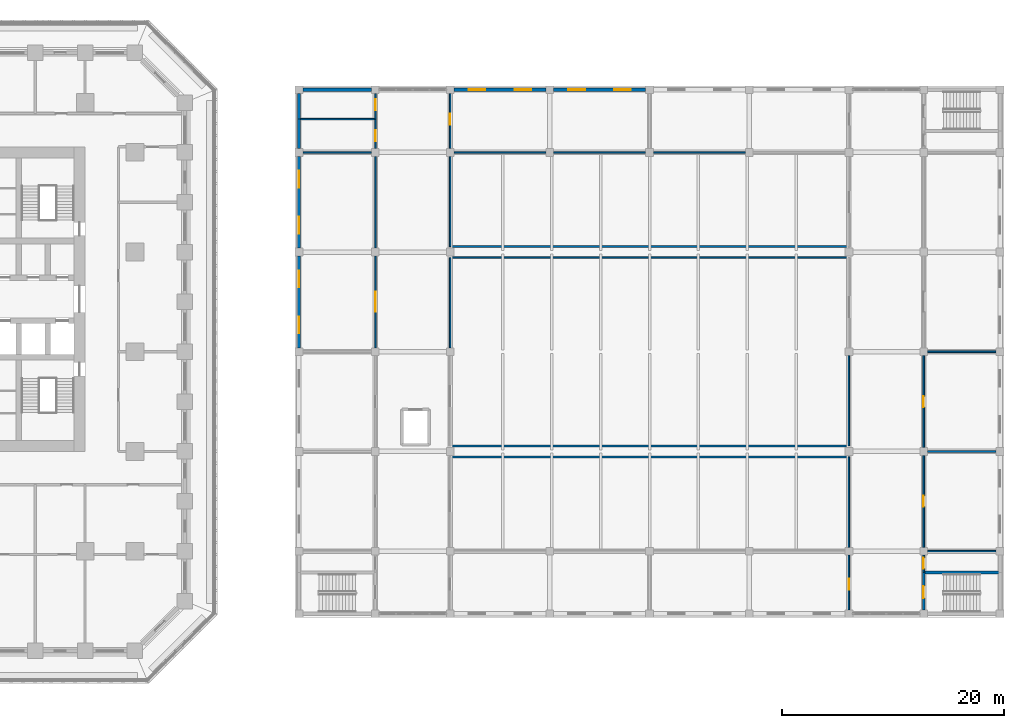
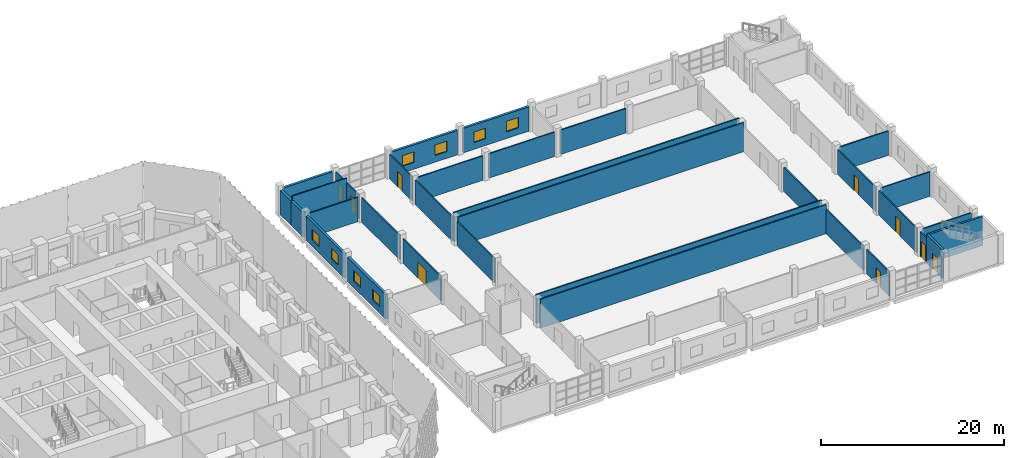
# One storey, part 18 of 31: 34 walls, 9 doors, 8 windows, 17 openings.
"""IFC4 building model written with IfcOpenShell, lengths in metres."""

import ifcopenshell
import ifcopenshell.guid

model = None  # the IFC model being written
_history = None  # IfcOwnerHistory: only IFC2X3 demands one
_inside = {}  # id of a spatial element -> (the spatial element, [elements in it])
_under = {}  # id of a project, library or spatial element -> (it, [spatial elements below it])
_declared = {}  # id of a project -> (the project, [libraries it declares])
_typed = {}  # id of a type object -> (the type object, [elements of that type])
_made_of = {}  # id of a material, layer set ... -> (it, [elements and type objects made of it])


def new_model(schema):
    """Start an empty IFC model of exactly this schema.

    Asked for "IFC4X3", IfcOpenShell would pick the latest addendum, in which some entities
    have other attributes; the version numbers below select the first issue.
    IFC2X3 requires an IfcOwnerHistory on every rooted entity: one is made here for all.
    """
    global model, _history
    if schema == "IFC4X3":
        model = ifcopenshell.file(schema_version=(4, 3, 0, 0))
    else:
        model = ifcopenshell.file(schema=schema)
    _inside.clear()
    _under.clear()
    _declared.clear()
    _typed.clear()
    _made_of.clear()
    _history = None
    if model.schema == "IFC2X3":
        org = make("IfcOrganization", Name="unknown")
        user = make(
            "IfcPersonAndOrganization",
            ThePerson=make("IfcPerson", FamilyName="unknown"),
            TheOrganization=org,
        )
        app = make(
            "IfcApplication",
            ApplicationDeveloper=org,
            Version="unknown",
            ApplicationFullName="unknown",
            ApplicationIdentifier="unknown",
        )
        _history = make(
            "IfcOwnerHistory",
            OwningUser=user,
            OwningApplication=app,
            ChangeAction="ADDED",
            CreationDate=0,
        )
    return model


def make(cls, **values):
    """One entity of the class cls with the attributes given. An attribute that is None is left unset."""
    return model.create_entity(
        cls, **{name: value for name, value in values.items() if value is not None}
    )


def rooted(cls, **values):
    """An entity with a GlobalId (a new one), such as an element, a storey or a relation."""
    return make(cls, GlobalId=ifcopenshell.guid.new(), OwnerHistory=_history, **values)


def si_unit(unit_type, name, prefix=None):
    """IfcSIUnit, for example si_unit("LENGTHUNIT", "METRE", prefix="MILLI")."""
    return make("IfcSIUnit", UnitType=unit_type, Prefix=prefix, Name=name)


def assignment(units):
    """IfcUnitAssignment: the units of a project."""
    return None if units is None else make("IfcUnitAssignment", Units=units)


def point(xyz):
    """IfcCartesianPoint."""
    return None if xyz is None else make("IfcCartesianPoint", Coordinates=xyz)


def direction(xyz):
    """IfcDirection."""
    return None if xyz is None else make("IfcDirection", DirectionRatios=xyz)


def frame(location, z_axis=None, x_axis=None):
    """IfcAxis2Placement3D, a coordinate frame: its origin and axes. An axis left out is left unset."""
    return make(
        "IfcAxis2Placement3D",
        Location=point(location),
        Axis=direction(z_axis),
        RefDirection=direction(x_axis),
    )


def frame_2d(location, x_axis=None):
    """IfcAxis2Placement2D, a coordinate frame in the plane: its origin and x axis."""
    return make(
        "IfcAxis2Placement2D", Location=point(location), RefDirection=direction(x_axis)
    )


def origin():
    """The frame at (0, 0, 0) with its axes left unset."""
    return frame((0.0, 0.0, 0.0))


def place(relative_to, where):
    """IfcLocalPlacement: puts the frame where relative to a parent placement (None: the world)."""
    return make(
        "IfcLocalPlacement", PlacementRelTo=relative_to, RelativePlacement=where
    )


def context(
    kind, dimensions, precision=None, world=None, true_north=None, identifier=None
):
    """IfcGeometricRepresentationContext, for example the 3D "Model" context."""
    return make(
        "IfcGeometricRepresentationContext",
        ContextIdentifier=identifier,
        ContextType=kind,
        CoordinateSpaceDimension=dimensions,
        Precision=precision,
        WorldCoordinateSystem=world,
        TrueNorth=true_north,
    )


def subcontext(parent, identifier, kind, view, scale=None):
    """IfcGeometricRepresentationSubContext, for example "Body" below "Model"."""
    return make(
        "IfcGeometricRepresentationSubContext",
        ContextIdentifier=identifier,
        ContextType=kind,
        ParentContext=parent,
        TargetScale=scale,
        TargetView=view,
    )


def project(units=None, contexts=None):
    """IfcProject with its units and contexts."""
    return rooted(
        "IfcProject",
        Name="project",
        RepresentationContexts=contexts,
        UnitsInContext=assignment(units),
    )


def spatial(cls, under=None, at=None, **own):
    """A site, building, storey or space (cls), placed at a placement, below another one or the project."""
    s = rooted(cls, ObjectPlacement=at, **own)
    if under is not None:
        _under.setdefault(under.id(), (under, []))[1].append(s)
    return s


def profile(cls, at=None, kind="AREA", **sizes):
    """A parametric profile (cls). Its sizes go by their IFC names, for example OverallWidth=200.0."""
    return make(cls, ProfileType=kind, Position=at, **sizes)


def rectangle(**sizes):
    """IfcRectangleProfileDef."""
    return profile("IfcRectangleProfileDef", **sizes)


def extrude(swept, where, along, depth):
    """IfcExtrudedAreaSolid: the profile swept, set in the frame where, extruded along a direction by depth."""
    return make(
        "IfcExtrudedAreaSolid",
        SweptArea=swept,
        Position=where,
        ExtrudedDirection=direction(along),
        Depth=depth,
    )


def shape(context_of_items, identifier, shape_type, items):
    """IfcShapeRepresentation: the items that make up one representation, for example the "Body"."""
    return make(
        "IfcShapeRepresentation",
        ContextOfItems=context_of_items,
        RepresentationIdentifier=identifier,
        RepresentationType=shape_type,
        Items=items,
    )


def material(Name=None, Category=None):
    """IfcMaterial."""
    return make("IfcMaterial", Name=Name, Category=Category)


def layer(
    of_material, thickness, ventilated=None, Name=None, Category=None, Priority=None
):
    """IfcMaterialLayer: one layer of a wall or slab, of a material (None: an air gap)."""
    return make(
        "IfcMaterialLayer",
        Material=of_material,
        LayerThickness=thickness,
        IsVentilated=ventilated,
        Name=Name,
        Category=Category,
        Priority=Priority,
    )


def layer_set(layers, Name=None):
    """IfcMaterialLayerSet."""
    return make("IfcMaterialLayerSet", MaterialLayers=layers, LayerSetName=Name)


def made_of(thing, what):
    """Note that an element or type object is made of a material, layer set ...; save() writes the relation."""
    if what is not None:
        _made_of.setdefault(what.id(), (what, []))[1].append(thing)
    return thing


def type_object(cls, material=None, **own):
    """A type object (cls), such as IfcWallType, which elements share."""
    return made_of(rooted(cls, **own), material)


def element(
    cls,
    number,
    at=None,
    inside=None,
    cuts=None,
    type_object=None,
    material=None,
    context=None,
    identifier="Body",
    shape_type=None,
    held_by="IfcProductDefinitionShape",
    body=None,
    shapes=None,
    **own,
):
    """One element of the class cls, such as IfcWall. Its Tag is "e" and its number.

    at: its placement. inside: the storey or other place that contains it. cuts: it is an
    opening in that element (IfcRelVoidsElement). A single representation is given by context,
    identifier, shape_type and body (its items); several are given by shapes. held_by: the class
    of the entity that holds the representations. save() writes the other relations.
    """
    e = rooted(cls, Tag="e%d" % number, ObjectPlacement=at, **own)
    if body is not None:
        shapes = [shape(context, identifier, shape_type, body)]
    if shapes is not None:
        e.Representation = make(held_by, Representations=shapes)
    if inside is not None:
        _inside.setdefault(inside.id(), (inside, []))[1].append(e)
    if cuts is not None:
        rooted(
            "IfcRelVoidsElement", RelatingBuildingElement=cuts, RelatedOpeningElement=e
        )
    if type_object is not None:
        _typed.setdefault(type_object.id(), (type_object, []))[1].append(e)
    return made_of(e, material)


def fill(opening, filler):
    """IfcRelFillsElement: the door or window that sits in an opening."""
    return rooted(
        "IfcRelFillsElement",
        RelatingOpeningElement=opening,
        RelatedBuildingElement=filler,
    )


def aggregate(whole, parts):
    """IfcRelAggregates: a whole, such as a stair, and the parts it consists of."""
    return rooted("IfcRelAggregates", RelatingObject=whole, RelatedObjects=parts)


def save(model, path):
    """Write the relations noted so far, then the file.

    IfcRelAggregates (storeys below a building ...), IfcRelContainedInSpatialStructure (elements
    in a storey), IfcRelDefinesByType, IfcRelAssociatesMaterial and IfcRelDeclares: one each for
    every whole, place, type object, material and project.
    """
    for whole, parts in _under.values():
        aggregate(whole, parts)
    for where, things in _inside.values():
        rooted(
            "IfcRelContainedInSpatialStructure",
            RelatedElements=things,
            RelatingStructure=where,
        )
    for kind, things in _typed.values():
        rooted("IfcRelDefinesByType", RelatedObjects=things, RelatingType=kind)
    for what, things in _made_of.values():
        rooted("IfcRelAssociatesMaterial", RelatedObjects=things, RelatingMaterial=what)
    for by, libraries in _declared.values():
        rooted("IfcRelDeclares", RelatingContext=by, RelatedDefinitions=libraries)
    model.write(path)


model = new_model("IFC4")

# Units and contexts
model_context = context("Model", 3, precision=1e-05, world=origin(), true_north=direction((0.0, 1.0)))
body_context = subcontext(model_context, "Body", "Model", "MODEL_VIEW")
ifc_project = project(units=[si_unit("LENGTHUNIT", "METRE"), si_unit("AREAUNIT", "SQUARE_METRE"), si_unit("VOLUMEUNIT", "CUBIC_METRE"), si_unit("PLANEANGLEUNIT", "RADIAN"), si_unit("MASSUNIT", "GRAM", prefix="KILO")], contexts=[model_context])

# Site, building, storey
site_placement = place(None, origin())
site = spatial("IfcSite", under=ifc_project, at=site_placement, CompositionType="ELEMENT")
building_placement = place(site_placement, origin())
building = spatial("IfcBuilding", under=site, at=building_placement, Name="Corbel Stack Research Tower", CompositionType="ELEMENT")
storey_placement = place(building_placement, frame((0.0, 0.0, 15.39990234375)))
storey = spatial("IfcBuildingStorey", under=building, at=storey_placement, Name="L03", CompositionType="ELEMENT", Elevation=15.39990234375)

# Wall
ifc_material_1 = material(Name="Concrete C40/50", Category="concrete")
ifc_layer_1 = layer(ifc_material_1, 0.300048828125)
ifc_layer_set_1 = layer_set([ifc_layer_1], Name="Concrete C40/50")
wall_type_1 = type_object("IfcWallType", Name="HW1 exterior wall 300", PredefinedType="SOLIDWALL", material=ifc_layer_set_1)
wall_1_placement = place(storey_placement, frame((37.64990234375, 23.64990234375, 0.0), z_axis=(0.0, 0.0, 1.0), x_axis=(1.0, 0.0, 0.0)))
element("IfcWall", 1, at=wall_1_placement, inside=storey, type_object=wall_type_1, Name="Exterior wall L03 h23.65/37.6", PredefinedType="SOLIDWALL", context=body_context, shape_type="SweptSolid", body=[
    extrude(rectangle(XDim=6.2001953125, YDim=0.300048828125, at=frame_2d((3.10009765625, 0.0))), origin(), (0.0, 0.0, 1.0), 3.25),
])

# Wall, openings, windows
wall_2_placement = place(storey_placement, frame((51.300048828125, 23.64990234375, 0.0), z_axis=(0.0, 0.0, 1.0), x_axis=(1.0, 0.0, 0.0)))
wall_2 = element("IfcWall", 2, at=wall_2_placement, inside=storey, type_object=wall_type_1, Name="Exterior wall L03 h23.65/51.3", PredefinedType="SOLIDWALL", context=body_context, shape_type="SweptSolid", body=[
    extrude(rectangle(XDim=8.300048828125, YDim=0.300048828125, at=frame_2d((4.14990234375, 0.0))), origin(), (0.0, 0.0, 1.0), 3.25),
])
opening_1_placement = place(wall_2_placement, frame((1.324951171875, 0.0, 0.89990234375)))
opening_1 = element("IfcOpeningElement", 3, at=opening_1_placement, cuts=wall_2, Name="Opening HX1", PredefinedType="OPENING", context=body_context, shape_type="SweptSolid", body=[
    extrude(rectangle(XDim=1.5, YDim=1.39990234375, at=frame_2d((0.75, 0.699951171875))), frame((0.0, 0.159912109375, 0.0), z_axis=(0.0, -1.0, 0.0), x_axis=(1.0, 0.0, 0.0)), (0.0, 0.0, 1.0), 0.320068359375),
])
opening_2_placement = place(wall_2_placement, frame((5.47509765625, 0.0, 0.89990234375)))
opening_2 = element("IfcOpeningElement", 4, at=opening_2_placement, cuts=wall_2, Name="Opening HX1", PredefinedType="OPENING", context=body_context, shape_type="SweptSolid", body=[
    extrude(rectangle(XDim=1.5, YDim=1.39990234375, at=frame_2d((0.75, 0.699951171875))), frame((0.0, 0.159912109375, 0.0), z_axis=(0.0, -1.0, 0.0), x_axis=(1.0, 0.0, 0.0)), (0.0, 0.0, 1.0), 0.320068359375),
])
ifc_material_2 = material(Name="Glass and aluminium", Category="aluminium")
window_type = type_object("IfcWindowType", Name="HW6 window 1500 x 1400", PartitioningType="SINGLE_PANEL", PredefinedType="WINDOW", material=ifc_material_2)
window_1_placement = place(opening_1_placement, origin())
window_1 = element("IfcWindow", 5, at=window_1_placement, inside=storey, type_object=window_type, Name="Window L03 Office 10", OverallHeight=1.39990234375, OverallWidth=1.5, PartitioningType="SINGLE_PANEL", PredefinedType="WINDOW", context=body_context, shape_type="SweptSolid", body=[
    extrude(rectangle(XDim=1.5, YDim=1.39990234375, at=frame_2d((0.75, 0.699951171875))), frame((0.0, 0.030029296875, 0.0), z_axis=(0.0, -1.0, 0.0), x_axis=(1.0, 0.0, 0.0)), (0.0, 0.0, 1.0), 0.06005859375),
])
fill(opening_1, window_1)
window_2_placement = place(opening_2_placement, origin())
window_2 = element("IfcWindow", 6, at=window_2_placement, inside=storey, type_object=window_type, Name="Window L03 Office 10", OverallHeight=1.39990234375, OverallWidth=1.5, PartitioningType="SINGLE_PANEL", PredefinedType="WINDOW", context=body_context, shape_type="SweptSolid", body=[
    extrude(rectangle(XDim=1.5, YDim=1.39990234375, at=frame_2d((0.75, 0.699951171875))), frame((0.0, 0.030029296875, 0.0), z_axis=(0.0, -1.0, 0.0), x_axis=(1.0, 0.0, 0.0)), (0.0, 0.0, 1.0), 0.06005859375),
])
fill(opening_2, window_2)

wall_3_placement = place(storey_placement, frame((60.300048828125, 23.64990234375, 0.0), z_axis=(0.0, 0.0, 1.0), x_axis=(1.0, 0.0, 0.0)))
wall_3 = element("IfcWall", 7, at=wall_3_placement, inside=storey, type_object=wall_type_1, Name="Exterior wall L03 h23.65/60.3", PredefinedType="SOLIDWALL", context=body_context, shape_type="SweptSolid", body=[
    extrude(rectangle(XDim=8.300048828125, YDim=0.300048828125, at=frame_2d((4.14990234375, 0.0))), origin(), (0.0, 0.0, 1.0), 3.25),
])
opening_3_placement = place(wall_3_placement, frame((1.324951171875, 0.0, 0.89990234375)))
opening_3 = element("IfcOpeningElement", 8, at=opening_3_placement, cuts=wall_3, Name="Opening HX1", PredefinedType="OPENING", context=body_context, shape_type="SweptSolid", body=[
    extrude(rectangle(XDim=1.5, YDim=1.39990234375, at=frame_2d((0.75, 0.699951171875))), frame((0.0, 0.159912109375, 0.0), z_axis=(0.0, -1.0, 0.0), x_axis=(1.0, 0.0, 0.0)), (0.0, 0.0, 1.0), 0.320068359375),
])
opening_4_placement = place(wall_3_placement, frame((5.47509765625, 0.0, 0.89990234375)))
opening_4 = element("IfcOpeningElement", 9, at=opening_4_placement, cuts=wall_3, Name="Opening HX1", PredefinedType="OPENING", context=body_context, shape_type="SweptSolid", body=[
    extrude(rectangle(XDim=1.5, YDim=1.39990234375, at=frame_2d((0.75, 0.699951171875))), frame((0.0, 0.159912109375, 0.0), z_axis=(0.0, -1.0, 0.0), x_axis=(1.0, 0.0, 0.0)), (0.0, 0.0, 1.0), 0.320068359375),
])
window_3_placement = place(opening_3_placement, origin())
window_3 = element("IfcWindow", 10, at=window_3_placement, inside=storey, type_object=window_type, Name="Window L03 Office 10", OverallHeight=1.39990234375, OverallWidth=1.5, PartitioningType="SINGLE_PANEL", PredefinedType="WINDOW", context=body_context, shape_type="SweptSolid", body=[
    extrude(rectangle(XDim=1.5, YDim=1.39990234375, at=frame_2d((0.75, 0.699951171875))), frame((0.0, 0.030029296875, 0.0), z_axis=(0.0, -1.0, 0.0), x_axis=(1.0, 0.0, 0.0)), (0.0, 0.0, 1.0), 0.06005859375),
])
fill(opening_3, window_3)
window_4_placement = place(opening_4_placement, origin())
window_4 = element("IfcWindow", 11, at=window_4_placement, inside=storey, type_object=window_type, Name="Window L03 Office 10", OverallHeight=1.39990234375, OverallWidth=1.5, PartitioningType="SINGLE_PANEL", PredefinedType="WINDOW", context=body_context, shape_type="SweptSolid", body=[
    extrude(rectangle(XDim=1.5, YDim=1.39990234375, at=frame_2d((0.75, 0.699951171875))), frame((0.0, 0.030029296875, 0.0), z_axis=(0.0, -1.0, 0.0), x_axis=(1.0, 0.0, 0.0)), (0.0, 0.0, 1.0), 0.06005859375),
])
fill(opening_4, window_4)

wall_4_placement = place(storey_placement, frame((37.300048828125, 0.35009765625, 0.0), z_axis=(0.0, 0.0, 1.0), x_axis=(0.0, 1.0, 0.0)))
wall_4 = element("IfcWall", 12, at=wall_4_placement, inside=storey, type_object=wall_type_1, Name="Exterior wall L03 v37.30/0.3", PredefinedType="SOLIDWALL", context=body_context, shape_type="SweptSolid", body=[
    extrude(rectangle(XDim=8.2998046875, YDim=0.300048828125, at=frame_2d((4.14990234375, 0.0))), origin(), (0.0, 0.0, 1.0), 3.25),
])
opening_5_placement = place(wall_4_placement, frame((1.324951171875, 0.0, 0.89990234375)))
opening_5 = element("IfcOpeningElement", 13, at=opening_5_placement, cuts=wall_4, Name="Opening HX1", PredefinedType="OPENING", context=body_context, shape_type="SweptSolid", body=[
    extrude(rectangle(XDim=1.5, YDim=1.39990234375, at=frame_2d((0.75, 0.699951171875))), frame((0.0, 0.159912109375, 0.0), z_axis=(0.0, -1.0, 0.0), x_axis=(1.0, 0.0, 0.0)), (0.0, 0.0, 1.0), 0.320068359375),
])
opening_6_placement = place(wall_4_placement, frame((5.47509765625, 0.0, 0.89990234375)))
opening_6 = element("IfcOpeningElement", 14, at=opening_6_placement, cuts=wall_4, Name="Opening HX1", PredefinedType="OPENING", context=body_context, shape_type="SweptSolid", body=[
    extrude(rectangle(XDim=1.5, YDim=1.39990234375, at=frame_2d((0.75, 0.699951171875))), frame((0.0, 0.159912109375, 0.0), z_axis=(0.0, -1.0, 0.0), x_axis=(1.0, 0.0, 0.0)), (0.0, 0.0, 1.0), 0.320068359375),
])
window_5_placement = place(opening_5_placement, origin())
window_5 = element("IfcWindow", 15, at=window_5_placement, inside=storey, type_object=window_type, Name="Window L03 Studio 5", OverallHeight=1.39990234375, OverallWidth=1.5, PartitioningType="SINGLE_PANEL", PredefinedType="WINDOW", context=body_context, shape_type="SweptSolid", body=[
    extrude(rectangle(XDim=1.5, YDim=1.39990234375, at=frame_2d((0.75, 0.699951171875))), frame((0.0, 0.030029296875, 0.0), z_axis=(0.0, -1.0, 0.0), x_axis=(1.0, 0.0, 0.0)), (0.0, 0.0, 1.0), 0.06005859375),
])
fill(opening_5, window_5)
window_6_placement = place(opening_6_placement, origin())
window_6 = element("IfcWindow", 16, at=window_6_placement, inside=storey, type_object=window_type, Name="Window L03 Studio 5", OverallHeight=1.39990234375, OverallWidth=1.5, PartitioningType="SINGLE_PANEL", PredefinedType="WINDOW", context=body_context, shape_type="SweptSolid", body=[
    extrude(rectangle(XDim=1.5, YDim=1.39990234375, at=frame_2d((0.75, 0.699951171875))), frame((0.0, 0.030029296875, 0.0), z_axis=(0.0, -1.0, 0.0), x_axis=(1.0, 0.0, 0.0)), (0.0, 0.0, 1.0), 0.06005859375),
])
fill(opening_6, window_6)

wall_5_placement = place(storey_placement, frame((37.300048828125, 9.35009765625, 0.0), z_axis=(0.0, 0.0, 1.0), x_axis=(0.0, 1.0, 0.0)))
wall_5 = element("IfcWall", 17, at=wall_5_placement, inside=storey, type_object=wall_type_1, Name="Exterior wall L03 v37.30/9.3", PredefinedType="SOLIDWALL", context=body_context, shape_type="SweptSolid", body=[
    extrude(rectangle(XDim=8.2998046875, YDim=0.300048828125, at=frame_2d((4.14990234375, 0.0))), origin(), (0.0, 0.0, 1.0), 3.25),
])
opening_7_placement = place(wall_5_placement, frame((1.324951171875, 0.0, 0.89990234375)))
opening_7 = element("IfcOpeningElement", 18, at=opening_7_placement, cuts=wall_5, Name="Opening HX1", PredefinedType="OPENING", context=body_context, shape_type="SweptSolid", body=[
    extrude(rectangle(XDim=1.5, YDim=1.39990234375, at=frame_2d((0.75, 0.699951171875))), frame((0.0, 0.159912109375, 0.0), z_axis=(0.0, -1.0, 0.0), x_axis=(1.0, 0.0, 0.0)), (0.0, 0.0, 1.0), 0.320068359375),
])
opening_8_placement = place(wall_5_placement, frame((5.47509765625, 0.0, 0.89990234375)))
opening_8 = element("IfcOpeningElement", 19, at=opening_8_placement, cuts=wall_5, Name="Opening HX1", PredefinedType="OPENING", context=body_context, shape_type="SweptSolid", body=[
    extrude(rectangle(XDim=1.5, YDim=1.39990234375, at=frame_2d((0.75, 0.699951171875))), frame((0.0, 0.159912109375, 0.0), z_axis=(0.0, -1.0, 0.0), x_axis=(1.0, 0.0, 0.0)), (0.0, 0.0, 1.0), 0.320068359375),
])
window_7_placement = place(opening_7_placement, origin())
window_7 = element("IfcWindow", 20, at=window_7_placement, inside=storey, type_object=window_type, Name="Window L03 Studio 5", OverallHeight=1.39990234375, OverallWidth=1.5, PartitioningType="SINGLE_PANEL", PredefinedType="WINDOW", context=body_context, shape_type="SweptSolid", body=[
    extrude(rectangle(XDim=1.5, YDim=1.39990234375, at=frame_2d((0.75, 0.699951171875))), frame((0.0, 0.030029296875, 0.0), z_axis=(0.0, -1.0, 0.0), x_axis=(1.0, 0.0, 0.0)), (0.0, 0.0, 1.0), 0.06005859375),
])
fill(opening_7, window_7)
window_8_placement = place(opening_8_placement, origin())
window_8 = element("IfcWindow", 21, at=window_8_placement, inside=storey, type_object=window_type, Name="Window L03 Studio 5", OverallHeight=1.39990234375, OverallWidth=1.5, PartitioningType="SINGLE_PANEL", PredefinedType="WINDOW", context=body_context, shape_type="SweptSolid", body=[
    extrude(rectangle(XDim=1.5, YDim=1.39990234375, at=frame_2d((0.75, 0.699951171875))), frame((0.0, 0.030029296875, 0.0), z_axis=(0.0, -1.0, 0.0), x_axis=(1.0, 0.0, 0.0)), (0.0, 0.0, 1.0), 0.06005859375),
])
fill(opening_8, window_8)

# Walls
wall_6_placement = place(storey_placement, frame((37.300048828125, 18.35009765625, 0.0), z_axis=(0.0, 0.0, 1.0), x_axis=(0.0, 1.0, 0.0)))
element("IfcWall", 22, at=wall_6_placement, inside=storey, type_object=wall_type_1, Name="Exterior wall L03 v37.30/18.4", PredefinedType="SOLIDWALL", context=body_context, shape_type="SweptSolid", body=[
    extrude(rectangle(XDim=2.64990234375, YDim=0.300048828125, at=frame_2d((1.324951171875, 0.0))), origin(), (0.0, 0.0, 1.0), 3.25),
])
wall_7_placement = place(storey_placement, frame((37.300048828125, 21.0, 0.0), z_axis=(0.0, 0.0, 1.0), x_axis=(0.0, 1.0, 0.0)))
element("IfcWall", 23, at=wall_7_placement, inside=storey, type_object=wall_type_1, Name="Exterior wall L03 v37.30/21.0", PredefinedType="SOLIDWALL", context=body_context, shape_type="SweptSolid", body=[
    extrude(rectangle(XDim=2.300048828125, YDim=0.300048828125, at=frame_2d((1.14990234375, 0.0))), origin(), (0.0, 0.0, 1.0), 3.25),
])
ifc_material_3 = material(Name="Concrete C40/50", Category="concrete")
ifc_layer_2 = layer(ifc_material_3, 0.25)
ifc_layer_set_2 = layer_set([ifc_layer_2], Name="Concrete C40/50")
wall_type_2 = type_object("IfcWallType", Name="HW2 core wall C40/50 250", PredefinedType="SHEAR", material=ifc_layer_set_2)
wall_8_placement = place(storey_placement, frame((93.699951171875, -19.925048828125, 0.0), z_axis=(0.0, 0.0, 1.0), x_axis=(1.0, 0.0, 0.0)))
element("IfcWall", 24, at=wall_8_placement, inside=storey, type_object=wall_type_2, Name="Wall L03 h-19.93/93.7", PredefinedType="SHEAR", context=body_context, shape_type="SweptSolid", body=[
    extrude(rectangle(XDim=6.900146484375, YDim=0.25, at=frame_2d((3.4501953125, 0.0))), origin(), (0.0, 0.0, 1.0), 3.85009765625),
])

# Wall, opening, door
wall_9_placement = place(storey_placement, frame((93.699951171875, -23.300048828125, 0.0), z_axis=(0.0, 0.0, 1.0), x_axis=(0.0, 1.0, 0.0)))
wall_9 = element("IfcWall", 25, at=wall_9_placement, inside=storey, type_object=wall_type_2, Name="Wall L03 v93.70/-23.3", PredefinedType="SHEAR", context=body_context, shape_type="SweptSolid", body=[
    extrude(rectangle(XDim=3.375, YDim=0.25, at=frame_2d((1.6875, 0.0))), origin(), (0.0, 0.0, 1.0), 3.85009765625),
])
opening_9_placement = place(wall_9_placement, frame((1.050048828125, 0.0, 0.0)))
opening_9 = element("IfcOpeningElement", 26, at=opening_9_placement, cuts=wall_9, Name="Opening H3-17", PredefinedType="OPENING", context=body_context, shape_type="SweptSolid", body=[
    extrude(rectangle(XDim=1.10009765625, YDim=2.10009765625, at=frame_2d((0.550048828125, 1.050048828125))), frame((0.0, 0.135009765625, 0.0), z_axis=(0.0, -1.0, 0.0), x_axis=(1.0, 0.0, 0.0)), (0.0, 0.0, 1.0), 0.27001953125),
])
ifc_material_4 = material(Name="Steel", Category="steel")
door_type_1 = type_object("IfcDoorType", Name="HD4 fire door 1100 x 2100", OperationType="NOTDEFINED", PredefinedType="DOOR", material=ifc_material_4)
door_1_placement = place(opening_9_placement, origin())
door_1 = element("IfcDoor", 27, at=door_1_placement, inside=storey, type_object=door_type_1, Name="Door H3-17", OperationType="SINGLE_SWING_LEFT", OverallHeight=2.10009765625, OverallWidth=1.10009765625, PredefinedType="DOOR", context=body_context, shape_type="SweptSolid", body=[
    extrude(rectangle(XDim=1.10009765625, YDim=2.10009765625, at=frame_2d((0.550048828125, 1.050048828125))), frame((0.0, 0.02490234375, 0.0), z_axis=(0.0, -1.0, 0.0), x_axis=(1.0, 0.0, 0.0)), (0.0, 0.0, 1.0), 0.050048828125),
])
fill(opening_9, door_1)

# Walls
ifc_material_5 = material(Name="Concrete masonry unit", Category="masonry")
ifc_layer_3 = layer(ifc_material_5, 0.14990234375)
ifc_layer_set_3 = layer_set([ifc_layer_3], Name="Concrete masonry unit")
wall_type_3 = type_object("IfcWallType", Name="HW3 partition 150", PredefinedType="PARTITIONING", material=ifc_layer_set_3)
wall_10_placement = place(storey_placement, frame((94.050048828125, -18.0, 0.0), z_axis=(0.0, 0.0, 1.0), x_axis=(1.0, 0.0, 0.0)))
element("IfcWall", 28, at=wall_10_placement, inside=storey, type_object=wall_type_3, Name="Wall L03 h-18.00/94.0", PredefinedType="PARTITIONING", context=body_context, shape_type="SweptSolid", body=[
    extrude(rectangle(XDim=6.199951171875, YDim=0.14990234375, at=frame_2d((3.10009765625, 0.0))), origin(), (0.0, 0.0, 1.0), 3.25),
])
wall_11_placement = place(storey_placement, frame((50.949951171875, -9.5, 0.0), z_axis=(0.0, 0.0, 1.0), x_axis=(1.0, 0.0, 0.0)))
element("IfcWall", 29, at=wall_11_placement, inside=storey, type_object=wall_type_3, Name="Wall L03 h-9.50/51.0", PredefinedType="PARTITIONING", context=body_context, shape_type="SweptSolid", body=[
    extrude(rectangle(XDim=36.0, YDim=0.14990234375, at=frame_2d((18.0, 0.0))), origin(), (0.0, 0.0, 1.0), 3.85009765625),
])
wall_12_placement = place(storey_placement, frame((94.050048828125, -9.0, 0.0), z_axis=(0.0, 0.0, 1.0), x_axis=(1.0, 0.0, 0.0)))
element("IfcWall", 30, at=wall_12_placement, inside=storey, type_object=wall_type_3, Name="Wall L03 h-9.00/94.0", PredefinedType="PARTITIONING", context=body_context, shape_type="SweptSolid", body=[
    extrude(rectangle(XDim=6.199951171875, YDim=0.14990234375, at=frame_2d((3.10009765625, 0.0))), origin(), (0.0, 0.0, 1.0), 3.25),
])
wall_13_placement = place(storey_placement, frame((50.949951171875, -8.5, 0.0), z_axis=(0.0, 0.0, 1.0), x_axis=(1.0, 0.0, 0.0)))
element("IfcWall", 31, at=wall_13_placement, inside=storey, type_object=wall_type_3, Name="Wall L03 h-8.50/51.0", PredefinedType="PARTITIONING", context=body_context, shape_type="SweptSolid", body=[
    extrude(rectangle(XDim=36.0, YDim=0.14990234375, at=frame_2d((18.0, 0.0))), origin(), (0.0, 0.0, 1.0), 3.85009765625),
])
wall_14_placement = place(storey_placement, frame((94.050048828125, 0.0, 0.0), z_axis=(0.0, 0.0, 1.0), x_axis=(1.0, 0.0, 0.0)))
element("IfcWall", 32, at=wall_14_placement, inside=storey, type_object=wall_type_3, Name="Wall L03 h0.00/94.0", PredefinedType="PARTITIONING", context=body_context, shape_type="SweptSolid", body=[
    extrude(rectangle(XDim=6.199951171875, YDim=0.14990234375, at=frame_2d((3.10009765625, 0.0))), origin(), (0.0, 0.0, 1.0), 3.25),
])
for number, where, z_axis, x_axis, name in (
    (33, (50.949951171875, 8.5, 0.0), (0.0, 0.0, 1.0), (1.0, 0.0, 0.0), "Wall L03 h8.50/51.0"),
    (34, (50.949951171875, 9.5, 0.0), (0.0, 0.0, 1.0), (1.0, 0.0, 0.0), "Wall L03 h9.50/51.0"),
):
    element("IfcWall", number, at=place(storey_placement, frame(where, z_axis=z_axis, x_axis=x_axis)), inside=storey, type_object=wall_type_3, Name=name, PredefinedType="PARTITIONING", context=body_context, shape_type="SweptSolid", body=[
        extrude(rectangle(XDim=36.0, YDim=0.14990234375, at=frame_2d((18.0, 0.0))), origin(), (0.0, 0.0, 1.0), 3.85009765625),
    ])
wall_15_placement = place(storey_placement, frame((37.64990234375, 18.0, 0.0), z_axis=(0.0, 0.0, 1.0), x_axis=(1.0, 0.0, 0.0)))
element("IfcWall", 35, at=wall_15_placement, inside=storey, type_object=wall_type_3, Name="Wall L03 h18.00/37.6", PredefinedType="PARTITIONING", context=body_context, shape_type="SweptSolid", body=[
    extrude(rectangle(XDim=6.2001953125, YDim=0.14990234375, at=frame_2d((3.10009765625, 0.0))), origin(), (0.0, 0.0, 1.0), 3.25),
])
for number, where, z_axis, x_axis, name in (
    (36, (51.300048828125, 18.0, 0.0), (0.0, 0.0, 1.0), (1.0, 0.0, 0.0), "Wall L03 h18.00/51.3"),
    (37, (60.300048828125, 18.0, 0.0), (0.0, 0.0, 1.0), (1.0, 0.0, 0.0), "Wall L03 h18.00/60.3"),
    (38, (69.300048828125, 18.0, 0.0), (0.0, 0.0, 1.0), (1.0, 0.0, 0.0), "Wall L03 h18.00/69.3"),
):
    element("IfcWall", number, at=place(storey_placement, frame(where, z_axis=z_axis, x_axis=x_axis)), inside=storey, type_object=wall_type_3, Name=name, PredefinedType="PARTITIONING", context=body_context, shape_type="SweptSolid", body=[
        extrude(rectangle(XDim=8.300048828125, YDim=0.14990234375, at=frame_2d((4.14990234375, 0.0))), origin(), (0.0, 0.0, 1.0), 3.25),
    ])
wall_16_placement = place(storey_placement, frame((37.300048828125, 21.0, 0.0), z_axis=(0.0, 0.0, 1.0), x_axis=(1.0, 0.0, 0.0)))
element("IfcWall", 39, at=wall_16_placement, inside=storey, type_object=wall_type_3, Name="Wall L03 h21.00/37.3", PredefinedType="PARTITIONING", context=body_context, shape_type="SweptSolid", body=[
    extrude(rectangle(XDim=6.89990234375, YDim=0.14990234375, at=frame_2d((3.449951171875, 0.0))), origin(), (0.0, 0.0, 1.0), 3.85009765625),
])

# Wall, opening, door
wall_17_placement = place(storey_placement, frame((44.199951171875, 8.64990234375, 0.0), z_axis=(0.0, 0.0, 1.0), x_axis=(0.0, -1.0, 0.0)))
wall_17 = element("IfcWall", 40, at=wall_17_placement, inside=storey, type_object=wall_type_3, Name="Wall L03 v44.20/0.3", PredefinedType="PARTITIONING", context=body_context, shape_type="SweptSolid", body=[
    extrude(rectangle(XDim=8.2998046875, YDim=0.14990234375, at=frame_2d((4.14990234375, 0.0))), origin(), (0.0, 0.0, 1.0), 3.25),
])
opening_10_placement = place(wall_17_placement, frame((3.25, 0.0, 0.0)))
opening_10 = element("IfcOpeningElement", 41, at=opening_10_placement, cuts=wall_17, Name="Opening H3-06", PredefinedType="OPENING", context=body_context, shape_type="SweptSolid", body=[
    extrude(rectangle(XDim=1.800048828125, YDim=2.10009765625, at=frame_2d((0.89990234375, 1.050048828125))), frame((0.0, 0.0849609375, 0.0), z_axis=(0.0, -1.0, 0.0), x_axis=(1.0, 0.0, 0.0)), (0.0, 0.0, 1.0), 0.169921875),
])
ifc_material_6 = material(Name="Timber", Category="wood")
door_type_2 = type_object("IfcDoorType", Name="HD2 double door 1800 x 2100", OperationType="DOUBLE_DOOR_SINGLE_SWING", PredefinedType="DOOR", material=ifc_material_6)
door_2_placement = place(opening_10_placement, origin())
door_2 = element("IfcDoor", 42, at=door_2_placement, inside=storey, type_object=door_type_2, Name="Door H3-06", OperationType="DOUBLE_DOOR_SINGLE_SWING", OverallHeight=2.10009765625, OverallWidth=1.800048828125, PredefinedType="DOOR", context=body_context, shape_type="SweptSolid", body=[
    extrude(rectangle(XDim=1.800048828125, YDim=2.10009765625, at=frame_2d((0.89990234375, 1.050048828125))), frame((0.0, 0.02490234375, 0.0), z_axis=(0.0, -1.0, 0.0), x_axis=(1.0, 0.0, 0.0)), (0.0, 0.0, 1.0), 0.050048828125),
])
fill(opening_10, door_2)

# Wall
wall_18_placement = place(storey_placement, frame((44.199951171875, 9.35009765625, 0.0), z_axis=(0.0, 0.0, 1.0), x_axis=(0.0, 1.0, 0.0)))
element("IfcWall", 43, at=wall_18_placement, inside=storey, type_object=wall_type_3, Name="Wall L03 v44.20/9.3", PredefinedType="PARTITIONING", context=body_context, shape_type="SweptSolid", body=[
    extrude(rectangle(XDim=8.2998046875, YDim=0.14990234375, at=frame_2d((4.14990234375, 0.0))), origin(), (0.0, 0.0, 1.0), 3.25),
])

# Wall, opening, door
wall_19_placement = place(storey_placement, frame((44.199951171875, 18.35009765625, 0.0), z_axis=(0.0, 0.0, 1.0), x_axis=(0.0, 1.0, 0.0)))
wall_19 = element("IfcWall", 44, at=wall_19_placement, inside=storey, type_object=wall_type_3, Name="Wall L03 v44.20/18.4", PredefinedType="PARTITIONING", context=body_context, shape_type="SweptSolid", body=[
    extrude(rectangle(XDim=2.64990234375, YDim=0.14990234375, at=frame_2d((1.324951171875, 0.0))), origin(), (0.0, 0.0, 1.0), 3.25),
])
opening_11_placement = place(wall_19_placement, frame((0.64990234375, 0.0, 0.0)))
opening_11 = element("IfcOpeningElement", 45, at=opening_11_placement, cuts=wall_19, Name="Opening H3-07", PredefinedType="OPENING", context=body_context, shape_type="SweptSolid", body=[
    extrude(rectangle(XDim=1.0, YDim=2.10009765625, at=frame_2d((0.5, 1.050048828125))), frame((0.0, 0.0849609375, 0.0), z_axis=(0.0, -1.0, 0.0), x_axis=(1.0, 0.0, 0.0)), (0.0, 0.0, 1.0), 0.169921875),
])
ifc_material_7 = material(Name="Timber", Category="wood")
door_type_3 = type_object("IfcDoorType", Name="HD1 single door 1000 x 2100", OperationType="NOTDEFINED", PredefinedType="DOOR", material=ifc_material_7)
door_3_placement = place(opening_11_placement, origin())
door_3 = element("IfcDoor", 46, at=door_3_placement, inside=storey, type_object=door_type_3, Name="Door H3-07", OperationType="SINGLE_SWING_LEFT", OverallHeight=2.10009765625, OverallWidth=1.0, PredefinedType="DOOR", context=body_context, shape_type="SweptSolid", body=[
    extrude(rectangle(XDim=1.0, YDim=2.10009765625, at=frame_2d((0.5, 1.050048828125))), frame((0.0, 0.02490234375, 0.0), z_axis=(0.0, -1.0, 0.0), x_axis=(1.0, 0.0, 0.0)), (0.0, 0.0, 1.0), 0.050048828125),
])
fill(opening_11, door_3)

wall_20_placement = place(storey_placement, frame((44.199951171875, 21.0, 0.0), z_axis=(0.0, 0.0, 1.0), x_axis=(0.0, 1.0, 0.0)))
wall_20 = element("IfcWall", 47, at=wall_20_placement, inside=storey, type_object=wall_type_3, Name="Wall L03 v44.20/21.0", PredefinedType="PARTITIONING", context=body_context, shape_type="SweptSolid", body=[
    extrude(rectangle(XDim=2.300048828125, YDim=0.14990234375, at=frame_2d((1.14990234375, 0.0))), origin(), (0.0, 0.0, 1.0), 3.25),
])
opening_12_placement = place(wall_20_placement, frame((0.800048828125, 0.0, 0.0)))
opening_12 = element("IfcOpeningElement", 48, at=opening_12_placement, cuts=wall_20, Name="Opening H3-08", PredefinedType="OPENING", context=body_context, shape_type="SweptSolid", body=[
    extrude(rectangle(XDim=1.0, YDim=2.10009765625, at=frame_2d((0.5, 1.050048828125))), frame((0.0, 0.0849609375, 0.0), z_axis=(0.0, -1.0, 0.0), x_axis=(1.0, 0.0, 0.0)), (0.0, 0.0, 1.0), 0.169921875),
])
door_4_placement = place(opening_12_placement, origin())
door_4 = element("IfcDoor", 49, at=door_4_placement, inside=storey, type_object=door_type_3, Name="Door H3-08", OperationType="SINGLE_SWING_RIGHT", OverallHeight=2.10009765625, OverallWidth=1.0, PredefinedType="DOOR", context=body_context, shape_type="SweptSolid", body=[
    extrude(rectangle(XDim=1.0, YDim=2.10009765625, at=frame_2d((0.5, 1.050048828125))), frame((0.0, 0.02490234375, 0.0), z_axis=(0.0, -1.0, 0.0), x_axis=(1.0, 0.0, 0.0)), (0.0, 0.0, 1.0), 0.050048828125),
])
fill(opening_12, door_4)

# Walls
for number, where, z_axis, x_axis, name in (
    (50, (50.949951171875, 0.35009765625, 0.0), (0.0, 0.0, 1.0), (0.0, 1.0, 0.0), "Wall L03 v50.95/0.3"),
    (51, (50.949951171875, 9.5, 0.0), (0.0, 0.0, 1.0), (0.0, 1.0, 0.0), "Wall L03 v50.95/9.5"),
):
    element("IfcWall", number, at=place(storey_placement, frame(where, z_axis=z_axis, x_axis=x_axis)), inside=storey, type_object=wall_type_3, Name=name, PredefinedType="PARTITIONING", context=body_context, shape_type="SweptSolid", body=[
        extrude(rectangle(XDim=8.14990234375, YDim=0.14990234375, at=frame_2d((4.074951171875, 0.0))), origin(), (0.0, 0.0, 1.0), 3.25),
    ])

# Wall, opening, door
wall_21_placement = place(storey_placement, frame((50.949951171875, 23.300048828125, 0.0), z_axis=(0.0, 0.0, 1.0), x_axis=(0.0, -1.0, 0.0)))
wall_21 = element("IfcWall", 52, at=wall_21_placement, inside=storey, type_object=wall_type_3, Name="Wall L03 v50.95/18.4", PredefinedType="PARTITIONING", context=body_context, shape_type="SweptSolid", body=[
    extrude(rectangle(XDim=4.949951171875, YDim=0.14990234375, at=frame_2d((2.47509765625, 0.0))), origin(), (0.0, 0.0, 1.0), 3.25),
])
opening_13_placement = place(wall_21_placement, frame((1.800048828125, 0.0, 0.0)))
opening_13 = element("IfcOpeningElement", 53, at=opening_13_placement, cuts=wall_21, Name="Opening H3-12", PredefinedType="OPENING", context=body_context, shape_type="SweptSolid", body=[
    extrude(rectangle(XDim=1.0, YDim=2.10009765625, at=frame_2d((0.5, 1.050048828125))), frame((0.0, 0.0849609375, 0.0), z_axis=(0.0, -1.0, 0.0), x_axis=(1.0, 0.0, 0.0)), (0.0, 0.0, 1.0), 0.169921875),
])
door_5_placement = place(opening_13_placement, origin())
door_5 = element("IfcDoor", 54, at=door_5_placement, inside=storey, type_object=door_type_3, Name="Door H3-12", OperationType="SINGLE_SWING_RIGHT", OverallHeight=2.10009765625, OverallWidth=1.0, PredefinedType="DOOR", context=body_context, shape_type="SweptSolid", body=[
    extrude(rectangle(XDim=1.0, YDim=2.10009765625, at=frame_2d((0.5, 1.050048828125))), frame((0.0, 0.02490234375, 0.0), z_axis=(0.0, -1.0, 0.0), x_axis=(1.0, 0.0, 0.0)), (0.0, 0.0, 1.0), 0.050048828125),
])
fill(opening_13, door_5)

wall_22_placement = place(storey_placement, frame((86.949951171875, -23.300048828125, 0.0), z_axis=(0.0, 0.0, 1.0), x_axis=(0.0, 1.0, 0.0)))
wall_22 = element("IfcWall", 55, at=wall_22_placement, inside=storey, type_object=wall_type_3, Name="Wall L03 v86.95/-23.3", PredefinedType="PARTITIONING", context=body_context, shape_type="SweptSolid", body=[
    extrude(rectangle(XDim=4.949951171875, YDim=0.14990234375, at=frame_2d((2.47509765625, 0.0))), origin(), (0.0, 0.0, 1.0), 3.25),
])
opening_14_placement = place(wall_22_placement, frame((1.800048828125, 0.0, 0.0)))
opening_14 = element("IfcOpeningElement", 56, at=opening_14_placement, cuts=wall_22, Name="Opening H3-13", PredefinedType="OPENING", context=body_context, shape_type="SweptSolid", body=[
    extrude(rectangle(XDim=1.0, YDim=2.10009765625, at=frame_2d((0.5, 1.050048828125))), frame((0.0, 0.0849609375, 0.0), z_axis=(0.0, -1.0, 0.0), x_axis=(1.0, 0.0, 0.0)), (0.0, 0.0, 1.0), 0.169921875),
])
door_6_placement = place(opening_14_placement, origin())
door_6 = element("IfcDoor", 57, at=door_6_placement, inside=storey, type_object=door_type_3, Name="Door H3-13", OperationType="SINGLE_SWING_LEFT", OverallHeight=2.10009765625, OverallWidth=1.0, PredefinedType="DOOR", context=body_context, shape_type="SweptSolid", body=[
    extrude(rectangle(XDim=1.0, YDim=2.10009765625, at=frame_2d((0.5, 1.050048828125))), frame((0.0, 0.02490234375, 0.0), z_axis=(0.0, -1.0, 0.0), x_axis=(1.0, 0.0, 0.0)), (0.0, 0.0, 1.0), 0.050048828125),
])
fill(opening_14, door_6)

# Walls
for number, where, z_axis, x_axis, name in (
    (58, (86.949951171875, -17.64990234375, 0.0), (0.0, 0.0, 1.0), (0.0, 1.0, 0.0), "Wall L03 v86.95/-17.6"),
    (59, (86.949951171875, -8.5, 0.0), (0.0, 0.0, 1.0), (0.0, 1.0, 0.0), "Wall L03 v86.95/-8.5"),
):
    element("IfcWall", number, at=place(storey_placement, frame(where, z_axis=z_axis, x_axis=x_axis)), inside=storey, type_object=wall_type_3, Name=name, PredefinedType="PARTITIONING", context=body_context, shape_type="SweptSolid", body=[
        extrude(rectangle(XDim=8.14990234375, YDim=0.14990234375, at=frame_2d((4.074951171875, 0.0))), origin(), (0.0, 0.0, 1.0), 3.25),
    ])

# Wall, opening, door
wall_23_placement = place(storey_placement, frame((93.699951171875, -18.35009765625, 0.0), z_axis=(0.0, 0.0, 1.0), x_axis=(0.0, -1.0, 0.0)))
wall_23 = element("IfcWall", 60, at=wall_23_placement, inside=storey, type_object=wall_type_3, Name="Wall L03 v93.70/-19.9", PredefinedType="PARTITIONING", context=body_context, shape_type="SweptSolid", body=[
    extrude(rectangle(XDim=1.574951171875, YDim=0.14990234375, at=frame_2d((0.78759765625, 0.0))), origin(), (0.0, 0.0, 1.0), 3.25),
])
opening_15_placement = place(wall_23_placement, frame((0.25, 0.0, 0.0)))
opening_15 = element("IfcOpeningElement", 61, at=opening_15_placement, cuts=wall_23, Name="Opening H3-18", PredefinedType="OPENING", context=body_context, shape_type="SweptSolid", body=[
    extrude(rectangle(XDim=1.0, YDim=2.10009765625, at=frame_2d((0.5, 1.050048828125))), frame((0.0, 0.0849609375, 0.0), z_axis=(0.0, -1.0, 0.0), x_axis=(1.0, 0.0, 0.0)), (0.0, 0.0, 1.0), 0.169921875),
])
door_7_placement = place(opening_15_placement, origin())
door_7 = element("IfcDoor", 62, at=door_7_placement, inside=storey, type_object=door_type_3, Name="Door H3-18", OperationType="SINGLE_SWING_RIGHT", OverallHeight=2.10009765625, OverallWidth=1.0, PredefinedType="DOOR", context=body_context, shape_type="SweptSolid", body=[
    extrude(rectangle(XDim=1.0, YDim=2.10009765625, at=frame_2d((0.5, 1.050048828125))), frame((0.0, 0.02490234375, 0.0), z_axis=(0.0, -1.0, 0.0), x_axis=(1.0, 0.0, 0.0)), (0.0, 0.0, 1.0), 0.050048828125),
])
fill(opening_15, door_7)

wall_24_placement = place(storey_placement, frame((93.699951171875, -9.35009765625, 0.0), z_axis=(0.0, 0.0, 1.0), x_axis=(0.0, -1.0, 0.0)))
wall_24 = element("IfcWall", 63, at=wall_24_placement, inside=storey, type_object=wall_type_3, Name="Wall L03 v93.70/-17.6", PredefinedType="PARTITIONING", context=body_context, shape_type="SweptSolid", body=[
    extrude(rectangle(XDim=8.2998046875, YDim=0.14990234375, at=frame_2d((4.14990234375, 0.0))), origin(), (0.0, 0.0, 1.0), 3.25),
])
opening_16_placement = place(wall_24_placement, frame((3.64990234375, 0.0, 0.0)))
opening_16 = element("IfcOpeningElement", 64, at=opening_16_placement, cuts=wall_24, Name="Opening H3-19", PredefinedType="OPENING", context=body_context, shape_type="SweptSolid", body=[
    extrude(rectangle(XDim=1.0, YDim=2.10009765625, at=frame_2d((0.5, 1.050048828125))), frame((0.0, 0.0849609375, 0.0), z_axis=(0.0, -1.0, 0.0), x_axis=(1.0, 0.0, 0.0)), (0.0, 0.0, 1.0), 0.169921875),
])
door_8_placement = place(opening_16_placement, origin())
door_8 = element("IfcDoor", 65, at=door_8_placement, inside=storey, type_object=door_type_3, Name="Door H3-19", OperationType="SINGLE_SWING_LEFT", OverallHeight=2.10009765625, OverallWidth=1.0, PredefinedType="DOOR", context=body_context, shape_type="SweptSolid", body=[
    extrude(rectangle(XDim=1.0, YDim=2.10009765625, at=frame_2d((0.5, 1.050048828125))), frame((0.0, 0.02490234375, 0.0), z_axis=(0.0, -1.0, 0.0), x_axis=(1.0, 0.0, 0.0)), (0.0, 0.0, 1.0), 0.050048828125),
])
fill(opening_16, door_8)

wall_25_placement = place(storey_placement, frame((93.699951171875, -0.35009765625, 0.0), z_axis=(0.0, 0.0, 1.0), x_axis=(0.0, -1.0, 0.0)))
wall_25 = element("IfcWall", 66, at=wall_25_placement, inside=storey, type_object=wall_type_3, Name="Wall L03 v93.70/-8.7", PredefinedType="PARTITIONING", context=body_context, shape_type="SweptSolid", body=[
    extrude(rectangle(XDim=8.2998046875, YDim=0.14990234375, at=frame_2d((4.14990234375, 0.0))), origin(), (0.0, 0.0, 1.0), 3.25),
])
opening_17_placement = place(wall_25_placement, frame((3.64990234375, 0.0, 0.0)))
opening_17 = element("IfcOpeningElement", 67, at=opening_17_placement, cuts=wall_25, Name="Opening H3-20", PredefinedType="OPENING", context=body_context, shape_type="SweptSolid", body=[
    extrude(rectangle(XDim=1.0, YDim=2.10009765625, at=frame_2d((0.5, 1.050048828125))), frame((0.0, 0.0849609375, 0.0), z_axis=(0.0, -1.0, 0.0), x_axis=(1.0, 0.0, 0.0)), (0.0, 0.0, 1.0), 0.169921875),
])
door_9_placement = place(opening_17_placement, origin())
door_9 = element("IfcDoor", 68, at=door_9_placement, inside=storey, type_object=door_type_3, Name="Door H3-20", OperationType="SINGLE_SWING_RIGHT", OverallHeight=2.10009765625, OverallWidth=1.0, PredefinedType="DOOR", context=body_context, shape_type="SweptSolid", body=[
    extrude(rectangle(XDim=1.0, YDim=2.10009765625, at=frame_2d((0.5, 1.050048828125))), frame((0.0, 0.02490234375, 0.0), z_axis=(0.0, -1.0, 0.0), x_axis=(1.0, 0.0, 0.0)), (0.0, 0.0, 1.0), 0.050048828125),
])
fill(opening_17, door_9)

save(model, "model.ifc")
